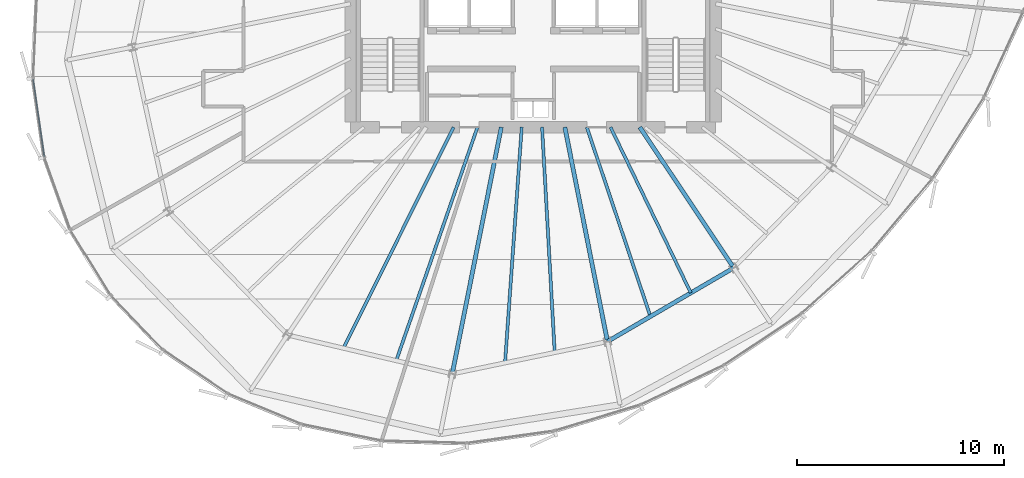
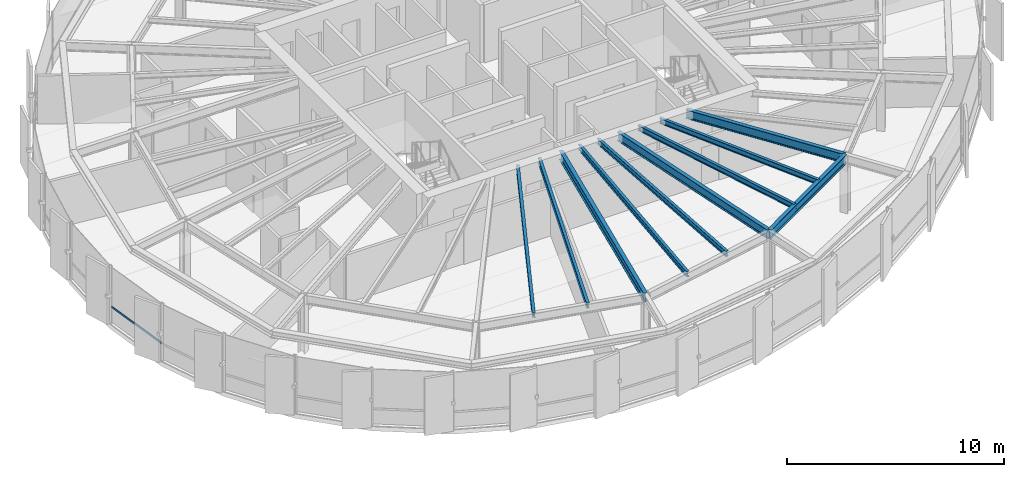
# One storey, part 8 of 34: 10 beams, 1 member, 1 element without a shape of its own.
"""IFC4 building model written with IfcOpenShell, lengths in metres."""

from ifc_helpers import new_model, si_unit, direction, frame, origin, origin_2d, place, context, subcontext, project, spatial, hollow_rectangle, i_section, extrude, source, transform, mapped, material, layer, layer_set, material_profile, profile_set, type_object, element, aggregate, save


model = new_model("IFC4")

# Units and contexts
model_context = context("Model", 3, precision=1e-05, world=origin(), true_north=direction((0.0, 1.0)))
body_context = subcontext(model_context, "Body", "Model", "MODEL_VIEW")
ifc_project = project(units=[si_unit("LENGTHUNIT", "METRE"), si_unit("AREAUNIT", "SQUARE_METRE"), si_unit("VOLUMEUNIT", "CUBIC_METRE"), si_unit("PLANEANGLEUNIT", "RADIAN"), si_unit("MASSUNIT", "GRAM", prefix="KILO"), si_unit("THERMODYNAMICTEMPERATUREUNIT", "KELVIN")], contexts=[model_context])

# Site, building, storey
site_placement = place(None, origin())
site = spatial("IfcSite", under=ifc_project, at=site_placement, CompositionType="ELEMENT")
building_placement = place(site_placement, origin())
building = spatial("IfcBuilding", under=site, at=building_placement, Name="Kethvar Cultural Tower", CompositionType="ELEMENT")
storey_placement = place(building_placement, frame((0.0, 0.0, 186.89990234375)))
storey = spatial("IfcBuildingStorey", under=building, at=storey_placement, Name="L48", CompositionType="ELEMENT", Elevation=186.89990234375)

# Beams
ifc_material_1 = material(Name="Steel S355J2", Category="steel")
ifc_material_profile_1 = material_profile(ifc_material_1, i_section(OverallWidth=0.199951171875, OverallDepth=0.5, WebThickness=0.01025390625, FlangeThickness=0.01611328125, FilletRadius=0.02099609375, at=origin_2d()), Name="Steel S355J2 — IPE500")
ifc_profile_set_1 = profile_set([ifc_material_profile_1], Name="Steel S355J2 — IPE500")
beam_type_1 = type_object("IfcBeamType", Name="BM-IPE500", PredefinedType="BEAM", material=ifc_profile_set_1)
shared_shape_1 = source(origin(), body_context, "Body", "SweptSolid", [
    extrude(i_section(OverallWidth=0.199951171875, OverallDepth=0.5, WebThickness=0.01025390625, FlangeThickness=0.01611328125, FilletRadius=0.02099609375, at=origin_2d()), origin(), (0.0, 0.0, 1.0), 12.1220703125),
])
beam_1_placement = place(storey_placement, frame((45.268310546875, 20.10009765625, 3.008056640625), z_axis=(-0.195078030057, -0.980787725346, 0.0), x_axis=(0.980787725346, -0.195078030057, 0.0)))
element("IfcBeam", 1, at=beam_1_placement, inside=storey, type_object=beam_type_1, Name="L48 Primary Radial Beam RB-12", PredefinedType="BEAM", context=body_context, shape_type="MappedRepresentation", body=[
    mapped(shared_shape_1, transform((0.0, 0.0, 0.0), scale=1.0)),
])
shared_shape_2 = source(origin(), body_context, "Body", "SweptSolid", [
    extrude(i_section(OverallWidth=0.199951171875, OverallDepth=0.5, WebThickness=0.01025390625, FlangeThickness=0.01611328125, FilletRadius=0.02099609375, at=origin_2d()), origin(), (0.0, 0.0, 1.0), 10.533935546875),
])
beam_2_placement = place(storey_placement, frame((48.33154296875, 20.10009765625, 3.008056640625), z_axis=(0.19509982917, -0.980783389265, 0.0), x_axis=(0.980783389265, 0.19509982917, 0.0)))
element("IfcBeam", 2, at=beam_2_placement, inside=storey, type_object=beam_type_1, Name="L48 Primary Radial Beam RB-13", PredefinedType="BEAM", context=body_context, shape_type="MappedRepresentation", body=[
    mapped(shared_shape_2, transform((0.0, 0.0, 0.0), scale=1.0)),
])
shared_shape_3 = source(origin(), body_context, "Body", "SweptSolid", [
    extrude(i_section(OverallWidth=0.199951171875, OverallDepth=0.5, WebThickness=0.01025390625, FlangeThickness=0.01611328125, FilletRadius=0.02099609375, at=origin_2d()), origin(), (0.0, 0.0, 1.0), 8.1533203125),
])
beam_3_placement = place(storey_placement, frame((51.945068359375, 20.10009765625, 3.008056640625), z_axis=(0.555549853936, -0.831483228809, 0.0), x_axis=(0.831483228809, 0.555549853936, 0.0)))
element("IfcBeam", 3, at=beam_3_placement, inside=storey, type_object=beam_type_1, Name="L48 Primary Radial Beam RB-14", PredefinedType="BEAM", context=body_context, shape_type="MappedRepresentation", body=[
    mapped(shared_shape_3, transform((0.0, 0.0, 0.0), scale=1.0)),
])
ifc_material_profile_2 = material_profile(ifc_material_1, i_section(OverallWidth=0.14990234375, OverallDepth=0.300048828125, WebThickness=0.007080078125, FlangeThickness=0.0107421875, FilletRadius=0.014892578125, at=origin_2d()), Name="Steel S355J2 — IPE300")
ifc_profile_set_2 = profile_set([ifc_material_profile_2], Name="Steel S355J2 — IPE300")
beam_type_2 = type_object("IfcBeamType", Name="BM-J300", PredefinedType="JOIST", material=ifc_profile_set_2)
shared_shape_4 = source(origin(), body_context, "Body", "SweptSolid", [
    extrude(i_section(OverallWidth=0.14990234375, OverallDepth=0.300048828125, WebThickness=0.007080078125, FlangeThickness=0.0107421875, FilletRadius=0.014892578125, at=origin_2d()), origin(), (0.0, 0.0, 1.0), 11.900146484375),
])
beam_4_placement = place(storey_placement, frame((42.96630859375, 20.10009765625, 3.108154296875), z_axis=(-0.445686564233, -0.89518907861, 0.0), x_axis=(0.89518907861, -0.445686564233, 0.0)))
element("IfcBeam", 4, at=beam_4_placement, inside=storey, type_object=beam_type_2, Name="L48 Composite Floor Joist J-11A", PredefinedType="JOIST", context=body_context, shape_type="MappedRepresentation", body=[
    mapped(shared_shape_4, transform((0.0, 0.0, 0.0), scale=1.0)),
])
shared_shape_5 = source(origin(), body_context, "Body", "SweptSolid", [
    extrude(i_section(OverallWidth=0.14990234375, OverallDepth=0.300048828125, WebThickness=0.007080078125, FlangeThickness=0.0107421875, FilletRadius=0.014892578125, at=origin_2d()), origin(), (0.0, 0.0, 1.0), 11.914306640625),
])
beam_5_placement = place(storey_placement, frame((44.1201171875, 20.10009765625, 3.108154296875), z_axis=(-0.328722490218, -0.944426558513, 0.0), x_axis=(0.944426558513, -0.328722490218, 0.0)))
element("IfcBeam", 5, at=beam_5_placement, inside=storey, type_object=beam_type_2, Name="L48 Composite Floor Joist J-11B", PredefinedType="JOIST", context=body_context, shape_type="MappedRepresentation", body=[
    mapped(shared_shape_5, transform((0.0, 0.0, 0.0), scale=1.0)),
])
shared_shape_6 = source(origin(), body_context, "Body", "SweptSolid", [
    extrude(i_section(OverallWidth=0.14990234375, OverallDepth=0.300048828125, WebThickness=0.007080078125, FlangeThickness=0.0107421875, FilletRadius=0.014892578125, at=origin_2d()), origin(), (0.0, 0.0, 1.0), 11.38818359375),
])
beam_6_placement = place(storey_placement, frame((46.253662109375, 20.10009765625, 3.108154296875), z_axis=(-0.070767133242, -0.99749286356, 0.0), x_axis=(0.99749286356, -0.070767133242, 0.0)))
element("IfcBeam", 6, at=beam_6_placement, inside=storey, type_object=beam_type_2, Name="L48 Composite Floor Joist J-12A", PredefinedType="JOIST", context=body_context, shape_type="MappedRepresentation", body=[
    mapped(shared_shape_6, transform((0.0, 0.0, 0.0), scale=1.0)),
])
shared_shape_7 = source(origin(), body_context, "Body", "SweptSolid", [
    extrude(i_section(OverallWidth=0.14990234375, OverallDepth=0.300048828125, WebThickness=0.007080078125, FlangeThickness=0.0107421875, FilletRadius=0.014892578125, at=origin_2d()), origin(), (0.0, 0.0, 1.0), 10.878173828125),
])
beam_7_placement = place(storey_placement, frame((47.232421875, 20.10009765625, 3.108154296875), z_axis=(0.056062922639, -0.998427237562, 0.0), x_axis=(0.998427237562, 0.056062922639, 0.0)))
element("IfcBeam", 7, at=beam_7_placement, inside=storey, type_object=beam_type_2, Name="L48 Composite Floor Joist J-12B", PredefinedType="JOIST", context=body_context, shape_type="MappedRepresentation", body=[
    mapped(shared_shape_7, transform((0.0, 0.0, 0.0), scale=1.0)),
])
shared_shape_8 = source(origin(), body_context, "Body", "SweptSolid", [
    extrude(i_section(OverallWidth=0.199951171875, OverallDepth=0.5, WebThickness=0.01025390625, FlangeThickness=0.01611328125, FilletRadius=0.02099609375, at=origin_2d()), origin(), (0.0, 0.0, 1.0), 7.048583984375),
])
beam_8_placement = place(storey_placement, frame((50.38671875, 9.7685546875, 3.008056640625), z_axis=(0.863718593305, 0.503974395757, 0.0), x_axis=(-0.503974395757, 0.863718593305, 0.0)))
element("IfcBeam", 8, at=beam_8_placement, inside=storey, type_object=beam_type_1, Name="L48 Column Ring Tie Beam CR-13", PredefinedType="BEAM", context=body_context, shape_type="MappedRepresentation", body=[
    mapped(shared_shape_8, transform((0.0, 0.0, 0.0), scale=1.0)),
])
shared_shape_9 = source(origin(), body_context, "Body", "SweptSolid", [
    extrude(i_section(OverallWidth=0.14990234375, OverallDepth=0.300048828125, WebThickness=0.007080078125, FlangeThickness=0.0107421875, FilletRadius=0.014892578125, at=origin_2d()), origin(), (0.0, 0.0, 1.0), 9.625732421875),
])
beam_9_placement = place(storey_placement, frame((49.388916015625, 20.10009765625, 3.108154296875), z_axis=(0.31869202774, -0.947858318239, 0.0), x_axis=(0.947858318239, 0.31869202774, 0.0)))
element("IfcBeam", 9, at=beam_9_placement, inside=storey, type_object=beam_type_2, Name="L48 Composite Floor Joist J-13A", PredefinedType="JOIST", context=body_context, shape_type="MappedRepresentation", body=[
    mapped(shared_shape_9, transform((0.0, 0.0, 0.0), scale=1.0)),
])
shared_shape_10 = source(origin(), body_context, "Body", "SweptSolid", [
    extrude(i_section(OverallWidth=0.14990234375, OverallDepth=0.300048828125, WebThickness=0.007080078125, FlangeThickness=0.0107421875, FilletRadius=0.014892578125, at=origin_2d()), origin(), (0.0, 0.0, 1.0), 8.8759765625),
])
beam_10_placement = place(storey_placement, frame((50.532958984375, 20.10009765625, 3.108154296875), z_axis=(0.436210743691, -0.899844534955, 0.0), x_axis=(0.899844534955, 0.436210743691, 0.0)))
element("IfcBeam", 10, at=beam_10_placement, inside=storey, type_object=beam_type_2, Name="L48 Composite Floor Joist J-13B", PredefinedType="JOIST", context=body_context, shape_type="MappedRepresentation", body=[
    mapped(shared_shape_10, transform((0.0, 0.0, 0.0), scale=1.0)),
])

# Curtain wall, member
ifc_material_2 = material(Name="Aluminium 6063-T6", Category="aluminium")
ifc_layer = layer(ifc_material_2, 0.179931640625, Name="Aluminium 6063-T6", Category="aluminium")
ifc_layer_set = layer_set([ifc_layer], Name="Aluminium 6063-T6 (180 mm)")
curtain_wall_type = type_object("IfcCurtainWallType", Name="CW-SYS-04-Z34", PredefinedType="NOTDEFINED", material=ifc_layer_set)
curtain_wall_placement = place(storey_placement, origin())
curtain_wall = element("IfcCurtainWall", 11, at=curtain_wall_placement, inside=storey, type_object=curtain_wall_type, Name="L48 Curtain Wall Run 03", PredefinedType="NOTDEFINED")
ifc_material_profile_3 = material_profile(ifc_material_2, hollow_rectangle(XDim=0.050048828125, YDim=0.10009765625, WallThickness=0.00390625, at=origin_2d()), Name="Aluminium 6063-T6 — RHS100x50x4")
ifc_profile_set_3 = profile_set([ifc_material_profile_3], Name="Aluminium 6063-T6 — RHS100x50x4")
member_type = type_object("IfcMemberType", Name="CW-SYS-04-Z34-TRN", PredefinedType="USERDEFINED", material=ifc_profile_set_3)
shared_shape_11 = source(origin(), body_context, "Body", "SweptSolid", [
    extrude(hollow_rectangle(XDim=0.050048828125, YDim=0.10009765625, WallThickness=0.00390625, at=origin_2d()), origin(), (0.0, 0.0, 1.0), 3.769775390625),
])
member_placement = place(storey_placement, frame((22.703125, 22.417724609375, 0.9501953125), z_axis=(0.142092279093, -0.989853415523, 0.0), x_axis=(0.989853415523, 0.142092279093, 0.0)))
member = element("IfcMember", 12, at=member_placement, type_object=member_type, Name="CW-L48-R03 Transom 4", ObjectType="TRANSOM", PredefinedType="USERDEFINED", context=body_context, shape_type="MappedRepresentation", body=[
    mapped(shared_shape_11, transform((0.0, 0.0, 0.0), scale=1.0)),
])
aggregate(curtain_wall, [member])

save(model, "model.ifc")
